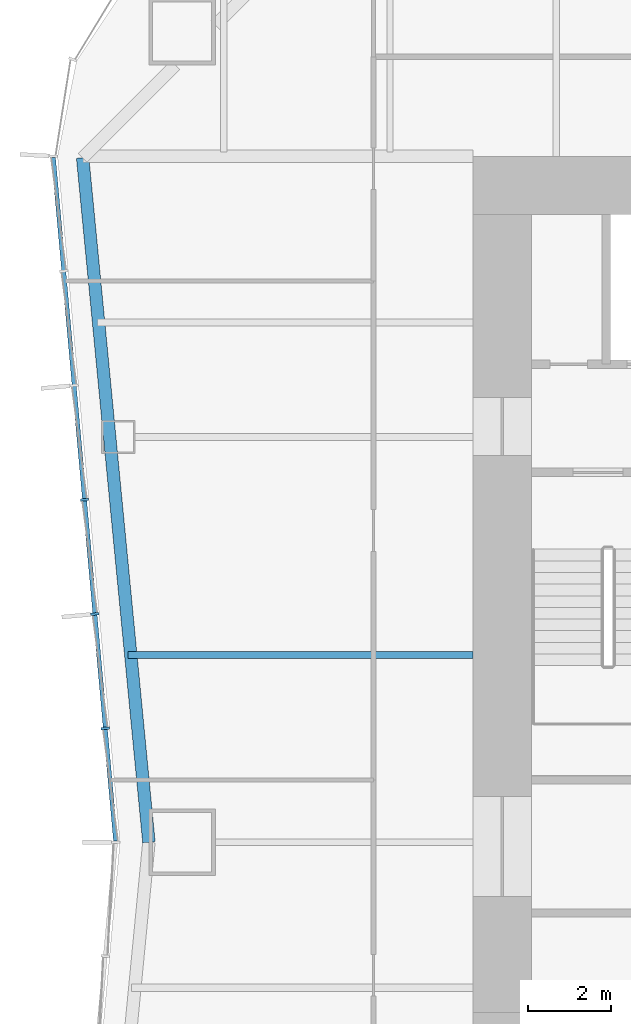
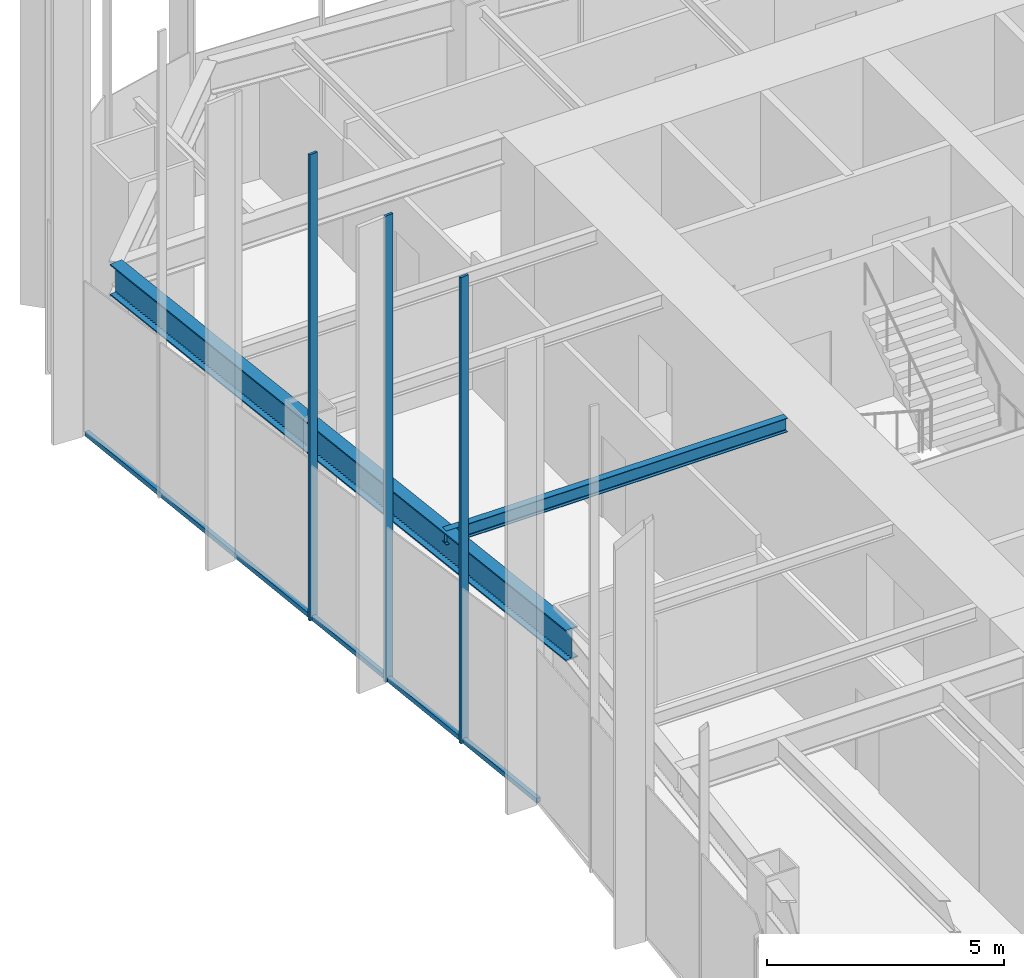
# One storey, part 3 of 13: 4 members, 2 beams, 1 element without a shape of its own.
"""IFC4 building model written with IfcOpenShell, lengths in metres."""

from ifc_helpers import new_model, si_unit, direction, frame, origin, origin_2d, place, context, subcontext, project, spatial, rectangle, i_section, extrude, material, material_profile, profile_set, type_object, element, aggregate, save


model = new_model("IFC4")

# Units and contexts
model_context = context("Model", 3, precision=1e-05, world=origin(), true_north=direction((0.0, 1.0)))
body_context = subcontext(model_context, "Body", "Model", "MODEL_VIEW")
ifc_project = project(units=[si_unit("LENGTHUNIT", "METRE"), si_unit("AREAUNIT", "SQUARE_METRE"), si_unit("VOLUMEUNIT", "CUBIC_METRE"), si_unit("PLANEANGLEUNIT", "RADIAN"), si_unit("MASSUNIT", "GRAM", prefix="KILO")], contexts=[model_context])

# Site, building, storey
site_placement = place(None, origin())
site = spatial("IfcSite", under=ifc_project, at=site_placement, CompositionType="ELEMENT")
building_placement = place(site_placement, origin())
building = spatial("IfcBuilding", under=site, at=building_placement, Name="Verdant Reach Tower", CompositionType="ELEMENT")
storey_placement = place(building_placement, frame((0.0, 0.0, 26.0)))
storey = spatial("IfcBuildingStorey", under=building, at=storey_placement, Name="L05", CompositionType="ELEMENT", Elevation=26.0)

# Curtain wall, members
ifc_material_1 = material(Name="Anodised aluminium", Category="aluminium")
curtain_wall_type = type_object("IfcCurtainWallType", Name="EN-CW SYSTEM Z0", PredefinedType="NOTDEFINED", material=ifc_material_1)
curtain_wall_placement = place(storey_placement, origin())
curtain_wall = element("IfcCurtainWall", 1, at=curtain_wall_placement, inside=storey, type_object=curtain_wall_type, Name="Curtain wall west, L05", PredefinedType="NOTDEFINED")
ifc_material_profile_1 = material_profile(ifc_material_1, rectangle(XDim=0.199951171875, YDim=0.06005859375, at=origin_2d()), Name="Mullion 60x200")
ifc_profile_set_1 = profile_set([ifc_material_profile_1], Name="Anodised aluminium")
member_type_1 = type_object("IfcMemberType", Name="EN-MULLION Z0", PredefinedType="MULLION", material=ifc_profile_set_1)
member_1_placement = place(storey_placement, frame((-23.349609375, 30.740966796875, -0.35009765625), z_axis=(0.0, 0.0, 1.0), x_axis=(-0.995893206467, -0.090535746047, 0.0)))
member_1 = element("IfcMember", 2, at=member_1_placement, type_object=member_type_1, Name="Mullion west face part 1 4, L05", PredefinedType="MULLION", context=body_context, shape_type="SweptSolid", body=[
    extrude(rectangle(XDim=0.199951171875, YDim=0.06005859375, at=origin_2d()), origin(), (0.0, 0.0, 1.0), 12.0),
])
member_2_placement = place(storey_placement, frame((-23.099609375, 27.990966796875, -0.35009765625), z_axis=(0.0, 0.0, 1.0), x_axis=(-0.995893206467, -0.090535746047, 0.0)))
member_2 = element("IfcMember", 3, at=member_2_placement, type_object=member_type_1, Name="Mullion west face part 1 5, L05", PredefinedType="MULLION", context=body_context, shape_type="SweptSolid", body=[
    extrude(rectangle(XDim=0.199951171875, YDim=0.06005859375, at=origin_2d()), origin(), (0.0, 0.0, 1.0), 12.0),
])
member_3_placement = place(storey_placement, frame((-22.849609375, 25.240966796875, -0.35009765625), z_axis=(0.0, 0.0, 1.0), x_axis=(-0.995893206467, -0.090535746047, 0.0)))
member_3 = element("IfcMember", 4, at=member_3_placement, type_object=member_type_1, Name="Mullion west face part 1 6, L05", PredefinedType="MULLION", context=body_context, shape_type="SweptSolid", body=[
    extrude(rectangle(XDim=0.199951171875, YDim=0.06005859375, at=origin_2d()), origin(), (0.0, 0.0, 1.0), 12.0),
])
ifc_material_profile_2 = material_profile(ifc_material_1, rectangle(XDim=0.10009765625, YDim=0.1201171875, at=origin_2d()), Name="Transom 120x100")
ifc_profile_set_2 = profile_set([ifc_material_profile_2], Name="Anodised aluminium")
member_type_2 = type_object("IfcMemberType", Name="EN-TRANSOM Z0", PredefinedType="USERDEFINED", material=ifc_profile_set_2)
member_4_placement = place(storey_placement, frame((-24.09716796875, 38.975341796875, -0.2900390625), z_axis=(0.090495755184, -0.995896841191, 0.0), x_axis=(0.995896841191, 0.090495755184, 0.0)))
member_4 = element("IfcMember", 5, at=member_4_placement, type_object=member_type_2, Name="Transom west face part 1 1.1, L05", ObjectType="TRANSOM", PredefinedType="USERDEFINED", context=body_context, shape_type="SweptSolid", body=[
    extrude(rectangle(XDim=0.10009765625, YDim=0.1201171875, at=origin_2d()), origin(), (0.0, 0.0, 1.0), 16.513427734375),
])
aggregate(curtain_wall, [member_1, member_2, member_3, member_4])

# Beams
ifc_material_2 = material(Name="Steel S355", Category="steel")
ifc_material_profile_3 = material_profile(ifc_material_2, i_section(OverallWidth=0.169921875, OverallDepth=0.360107421875, WebThickness=0.008056640625, FlangeThickness=0.0126953125, FilletRadius=0.01806640625, at=origin_2d()), Name="IPE 360")
ifc_profile_set_3 = profile_set([ifc_material_profile_3], Name="Steel S355")
beam_type_1 = type_object("IfcBeamType", Name="ST-JOIST-IPE360", PredefinedType="JOIST", material=ifc_profile_set_3)
beam_1_placement = place(storey_placement, frame((-14.0, 27.0, 3.68994140625), z_axis=(-1.0, 0.0, 0.0), x_axis=(0.0, -1.0, 0.0)))
element("IfcBeam", 6, at=beam_1_placement, inside=storey, type_object=beam_type_1, Name="Floor joist, L05", PredefinedType="JOIST", context=body_context, shape_type="SweptSolid", body=[
    extrude(i_section(OverallWidth=0.169921875, OverallDepth=0.360107421875, WebThickness=0.008056640625, FlangeThickness=0.0126953125, FilletRadius=0.01806640625, at=origin_2d()), origin(), (0.0, 0.0, 1.0), 8.306640625),
])
ifc_material_profile_4 = material_profile(ifc_material_2, i_section(OverallWidth=0.300048828125, OverallDepth=0.800048828125, WebThickness=0.017578125, FlangeThickness=0.032958984375, FilletRadius=0.030029296875, at=origin_2d()), Name="HEB 800")
ifc_profile_set_4 = profile_set([ifc_material_profile_4], Name="Steel S355")
beam_type_2 = type_object("IfcBeamType", Name="ST-SPANDREL-HEB800", PredefinedType="SPANDREL", material=ifc_profile_set_4)
beam_2_placement = place(storey_placement, frame((-21.800048828125, 22.5, 3.469970703125), z_axis=(-0.096372296695, 0.995345357366, 0.0), x_axis=(-0.995345357366, -0.096372296695, 0.0)))
element("IfcBeam", 7, at=beam_2_placement, inside=storey, type_object=beam_type_2, Name="Edge beam, L05", PredefinedType="SPANDREL", context=body_context, shape_type="SweptSolid", body=[
    extrude(i_section(OverallWidth=0.300048828125, OverallDepth=0.800048828125, WebThickness=0.017578125, FlangeThickness=0.032958984375, FilletRadius=0.030029296875, at=origin_2d()), origin(), (0.0, 0.0, 1.0), 16.544921875),
])

save(model, "model.ifc")
